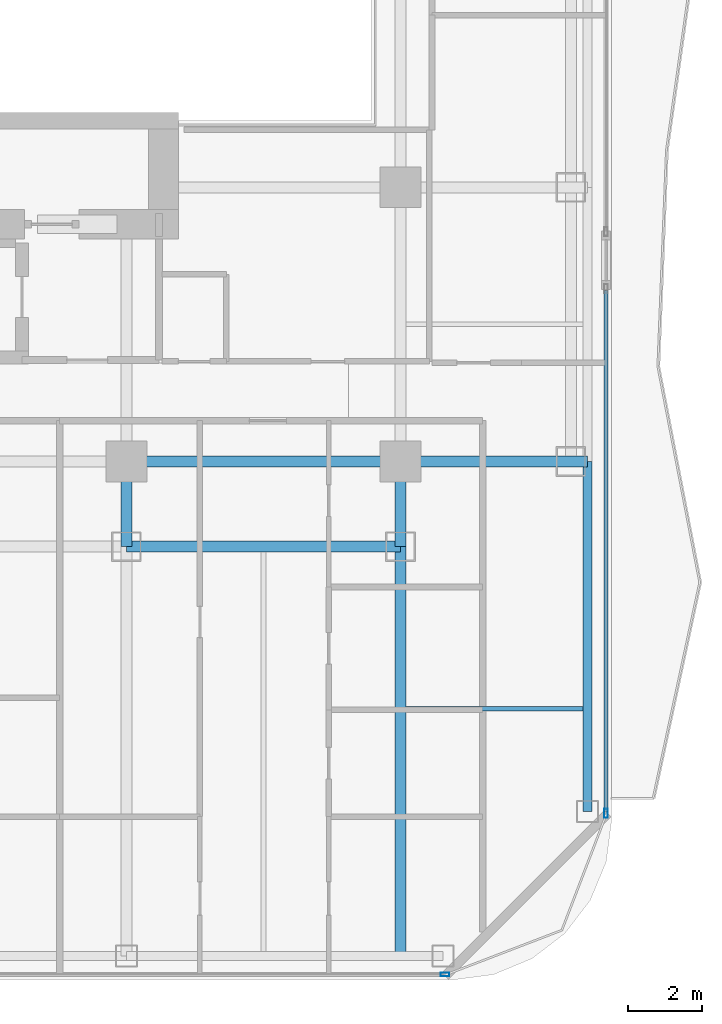
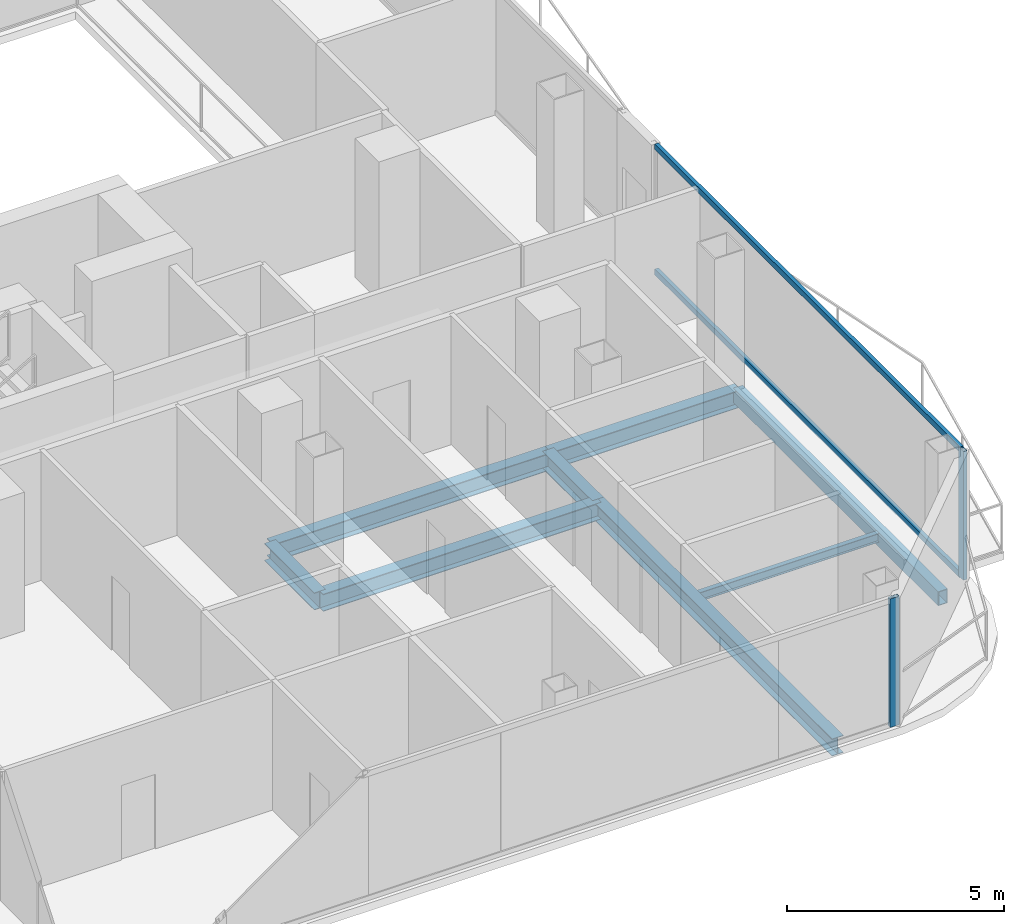
# One storey, part 8 of 23: 8 beams, 4 members, 2 elements without a shape of their own.
"""IFC4 building model written with IfcOpenShell, lengths in metres."""

from ifc_helpers import new_model, si_unit, direction, frame, origin, origin_2d, place, context, subcontext, project, spatial, hollow_rectangle, i_section, extrude, material, layer, layer_set, material_profile, profile_set, type_object, element, aggregate, save


model = new_model("IFC4")

# Units and contexts
model_context = context("Model", 3, precision=1e-05, world=origin(), true_north=direction((0.0, 1.0)))
body_context = subcontext(model_context, "Body", "Model", "MODEL_VIEW")
ifc_project = project(units=[si_unit("LENGTHUNIT", "METRE"), si_unit("AREAUNIT", "SQUARE_METRE"), si_unit("VOLUMEUNIT", "CUBIC_METRE"), si_unit("PLANEANGLEUNIT", "RADIAN"), si_unit("MASSUNIT", "GRAM", prefix="KILO")], contexts=[model_context])

# Site, building, storey
site_placement = place(None, origin())
site = spatial("IfcSite", under=ifc_project, at=site_placement, CompositionType="ELEMENT")
building_placement = place(site_placement, origin())
building = spatial("IfcBuilding", under=site, at=building_placement, Name="Khorvyn Point Tower", CompositionType="ELEMENT")
storey_placement = place(building_placement, frame((0.0, 0.0, 207.0)))
storey = spatial("IfcBuildingStorey", under=building, at=storey_placement, Name="L51", CompositionType="ELEMENT", Elevation=207.0)

# Curtain wall, member
ifc_material_1 = material(Name="Anodised aluminium 6063-T6 and laminated Low-E glass", Category="aluminium")
ifc_layer = layer(ifc_material_1, 0.18994140625)
ifc_layer_set = layer_set([ifc_layer], Name="Stick-Built Acoustic Curtain Wall CW-SYS-03")
curtain_wall_type = type_object("IfcCurtainWallType", Name="Stick-Built Acoustic Curtain Wall CW-SYS-03", PredefinedType="NOTDEFINED", material=ifc_layer_set)
curtain_wall_1_placement = place(storey_placement, origin())
curtain_wall_1 = element("IfcCurtainWall", 1, at=curtain_wall_1_placement, inside=storey, type_object=curtain_wall_type, Name="Curtain Wall", PredefinedType="NOTDEFINED")
ifc_material_2 = material(Name="Anodised aluminium 6063-T6", Category="aluminium")
ifc_material_profile_1 = material_profile(ifc_material_2, hollow_rectangle(XDim=0.10009765625, YDim=0.239990234375, WallThickness=0.0048828125, at=origin_2d()))
ifc_profile_set_1 = profile_set([ifc_material_profile_1], Name="Anodised aluminium 6063-T6 ALU-MUL-100x240")
member_type_1 = type_object("IfcMemberType", Name="Anodised Aluminium 6063-T6 Mullion ALU-MUL-100x240", PredefinedType="MULLION", material=ifc_profile_set_1)
member_1_placement = place(storey_placement, frame((16.0, -28.64990234375, 0.0), z_axis=(0.0, 0.0, 1.0), x_axis=(0.0, -1.0, 0.0)))
member_1 = element("IfcMember", 2, at=member_1_placement, type_object=member_type_1, Name="Transom", PredefinedType="MULLION", context=body_context, shape_type="SweptSolid", body=[
    extrude(hollow_rectangle(XDim=0.10009765625, YDim=0.239990234375, WallThickness=0.0048828125, at=origin_2d()), origin(), (0.0, 0.0, 1.0), 3.6201171875),
])
aggregate(curtain_wall_1, [member_1])

# Curtain wall, members
curtain_wall_2_placement = place(storey_placement, origin())
curtain_wall_2 = element("IfcCurtainWall", 3, at=curtain_wall_2_placement, inside=storey, type_object=curtain_wall_type, Name="Curtain Wall", PredefinedType="NOTDEFINED")
member_2_placement = place(storey_placement, frame((20.35009765625, -24.300048828125, 0.0), z_axis=(0.0, 0.0, 1.0), x_axis=(1.0, 0.0, 0.0)))
member_2 = element("IfcMember", 4, at=member_2_placement, type_object=member_type_1, Name="Transom", PredefinedType="MULLION", context=body_context, shape_type="SweptSolid", body=[
    extrude(hollow_rectangle(XDim=0.10009765625, YDim=0.239990234375, WallThickness=0.0048828125, at=origin_2d()), origin(), (0.0, 0.0, 1.0), 3.6201171875),
])
ifc_material_profile_2 = material_profile(ifc_material_2, hollow_rectangle(XDim=0.10009765625, YDim=0.159912109375, WallThickness=0.00439453125, at=origin_2d()))
ifc_profile_set_2 = profile_set([ifc_material_profile_2], Name="Anodised aluminium 6063-T6 ALU-TRN-100x160")
member_type_2 = type_object("IfcMemberType", Name="Anodised Aluminium 6063-T6 Transom ALU-TRN-100x160", PredefinedType="USERDEFINED", material=ifc_profile_set_2)
member_3_placement = place(storey_placement, frame((20.35009765625, -10.18701171875, 0.050048828125), z_axis=(0.0, -1.0, 0.0), x_axis=(1.0, 0.0, 0.0)))
member_3 = element("IfcMember", 5, at=member_3_placement, type_object=member_type_2, Name="Transom", ObjectType="TRANSOM", PredefinedType="USERDEFINED", context=body_context, shape_type="SweptSolid", body=[
    extrude(hollow_rectangle(XDim=0.10009765625, YDim=0.159912109375, WallThickness=0.00439453125, at=origin_2d()), origin(), (0.0, 0.0, 1.0), 14.06298828125),
])
member_4_placement = place(storey_placement, frame((20.35009765625, -10.18701171875, 3.570068359375), z_axis=(0.0, -1.0, 0.0), x_axis=(1.0, 0.0, 0.0)))
member_4 = element("IfcMember", 6, at=member_4_placement, type_object=member_type_2, Name="Transom", ObjectType="TRANSOM", PredefinedType="USERDEFINED", context=body_context, shape_type="SweptSolid", body=[
    extrude(hollow_rectangle(XDim=0.10009765625, YDim=0.159912109375, WallThickness=0.00439453125, at=origin_2d()), origin(), (0.0, 0.0, 1.0), 14.06298828125),
])
aggregate(curtain_wall_2, [member_2, member_3, member_4])

# Beams
ifc_material_3 = material(Name="Steel S355", Category="steel")
ifc_material_profile_3 = material_profile(ifc_material_3, i_section(OverallWidth=0.125, OverallDepth=0.25, WebThickness=0.006103515625, FlangeThickness=0.009033203125, at=origin_2d()))
ifc_profile_set_3 = profile_set([ifc_material_profile_3], Name="Steel S355 H250x125x6x9")
beam_type_1 = type_object("IfcBeamType", Name="Steel S355 Joist H250x125x6x9", PredefinedType="JOIST", material=ifc_profile_set_3)
beam_1_placement = place(storey_placement, frame((14.949951171875, -21.47509765625, -0.344970703125), z_axis=(1.0, 0.0, 0.0), x_axis=(0.0, 1.0, 0.0)))
element("IfcBeam", 7, at=beam_1_placement, inside=storey, type_object=beam_type_1, Name="Beam", PredefinedType="JOIST", context=body_context, shape_type="SweptSolid", body=[
    extrude(i_section(OverallWidth=0.125, OverallDepth=0.25, WebThickness=0.006103515625, FlangeThickness=0.009033203125, at=origin_2d()), origin(), (0.0, 0.0, 1.0), 4.775146484375),
])
ifc_material_profile_4 = material_profile(ifc_material_3, i_section(OverallWidth=0.300048828125, OverallDepth=0.488037109375, WebThickness=0.010986328125, FlangeThickness=0.01806640625, at=origin_2d()))
ifc_profile_set_4 = profile_set([ifc_material_profile_4], Name="Steel S355 H488x300x11x18")
beam_type_2 = type_object("IfcBeamType", Name="Steel S355 Spandrel H488x300x11x18", PredefinedType="SPANDREL", material=ifc_profile_set_4)
beam_2_placement = place(storey_placement, frame((7.39990234375, -14.800048828125, -0.464111328125), z_axis=(1.0, 0.0, 0.0), x_axis=(0.0, 1.0, 0.0)))
element("IfcBeam", 8, at=beam_2_placement, inside=storey, type_object=beam_type_2, Name="Beam", PredefinedType="SPANDREL", context=body_context, shape_type="SweptSolid", body=[
    extrude(i_section(OverallWidth=0.300048828125, OverallDepth=0.488037109375, WebThickness=0.010986328125, FlangeThickness=0.01806640625, at=origin_2d()), origin(), (0.0, 0.0, 1.0), 7.400146484375),
])
beam_3_placement = place(storey_placement, frame((14.800048828125, -14.800048828125, -0.464111328125), z_axis=(1.0, 0.0, 0.0), x_axis=(0.0, 1.0, 0.0)))
element("IfcBeam", 9, at=beam_3_placement, inside=storey, type_object=beam_type_2, Name="Beam", PredefinedType="SPANDREL", context=body_context, shape_type="SweptSolid", body=[
    extrude(i_section(OverallWidth=0.300048828125, OverallDepth=0.488037109375, WebThickness=0.010986328125, FlangeThickness=0.01806640625, at=origin_2d()), origin(), (0.0, 0.0, 1.0), 5.050048828125),
])
beam_4_placement = place(storey_placement, frame((7.39990234375, -17.10009765625, -0.464111328125), z_axis=(1.0, 0.0, 0.0), x_axis=(0.0, 1.0, 0.0)))
element("IfcBeam", 10, at=beam_4_placement, inside=storey, type_object=beam_type_2, Name="Beam", PredefinedType="SPANDREL", context=body_context, shape_type="SweptSolid", body=[
    extrude(i_section(OverallWidth=0.300048828125, OverallDepth=0.488037109375, WebThickness=0.010986328125, FlangeThickness=0.01806640625, at=origin_2d()), origin(), (0.0, 0.0, 1.0), 7.400146484375),
])
beam_5_placement = place(storey_placement, frame((14.800048828125, -28.14990234375, -0.464111328125), z_axis=(0.0, 1.0, 0.0), x_axis=(-1.0, 0.0, 0.0)))
element("IfcBeam", 11, at=beam_5_placement, inside=storey, type_object=beam_type_2, Name="Beam", PredefinedType="SPANDREL", context=body_context, shape_type="SweptSolid", body=[
    extrude(i_section(OverallWidth=0.300048828125, OverallDepth=0.488037109375, WebThickness=0.010986328125, FlangeThickness=0.01806640625, at=origin_2d()), origin(), (0.0, 0.0, 1.0), 11.0498046875),
])
for number, where, z_axis, x_axis, name in (
    (12, (14.800048828125, -17.10009765625, -0.464111328125), (0.0, 1.0, 0.0), (-1.0, 0.0, 0.0), "Beam"),
    (13, (7.39990234375, -17.10009765625, -0.464111328125), (0.0, 1.0, 0.0), (-1.0, 0.0, 0.0), "Beam"),
):
    element("IfcBeam", number, at=place(storey_placement, frame(where, z_axis=z_axis, x_axis=x_axis)), inside=storey, type_object=beam_type_2, Name=name, PredefinedType="SPANDREL", context=body_context, shape_type="SweptSolid", body=[
        extrude(i_section(OverallWidth=0.300048828125, OverallDepth=0.488037109375, WebThickness=0.010986328125, FlangeThickness=0.01806640625, at=origin_2d()), origin(), (0.0, 0.0, 1.0), 2.300048828125),
    ])
ifc_material_profile_5 = material_profile(ifc_material_3, hollow_rectangle(XDim=0.25, YDim=0.39990234375, WallThickness=0.01611328125, at=origin_2d()))
ifc_profile_set_5 = profile_set([ifc_material_profile_5], Name="Steel S355 RHS400x250x16")
beam_type_3 = type_object("IfcBeamType", Name="Steel S355 Spandrel RHS400x250x16", PredefinedType="SPANDREL", material=ifc_profile_set_5)
beam_6_placement = place(storey_placement, frame((19.85009765625, -24.25, -0.419921875), z_axis=(0.0, 1.0, 0.0), x_axis=(-1.0, 0.0, 0.0)))
element("IfcBeam", 14, at=beam_6_placement, inside=storey, type_object=beam_type_3, Name="Beam", PredefinedType="SPANDREL", context=body_context, shape_type="SweptSolid", body=[
    extrude(hollow_rectangle(XDim=0.25, YDim=0.39990234375, WallThickness=0.01611328125, at=origin_2d()), origin(), (0.0, 0.0, 1.0), 9.449951171875),
])

save(model, "model.ifc")
